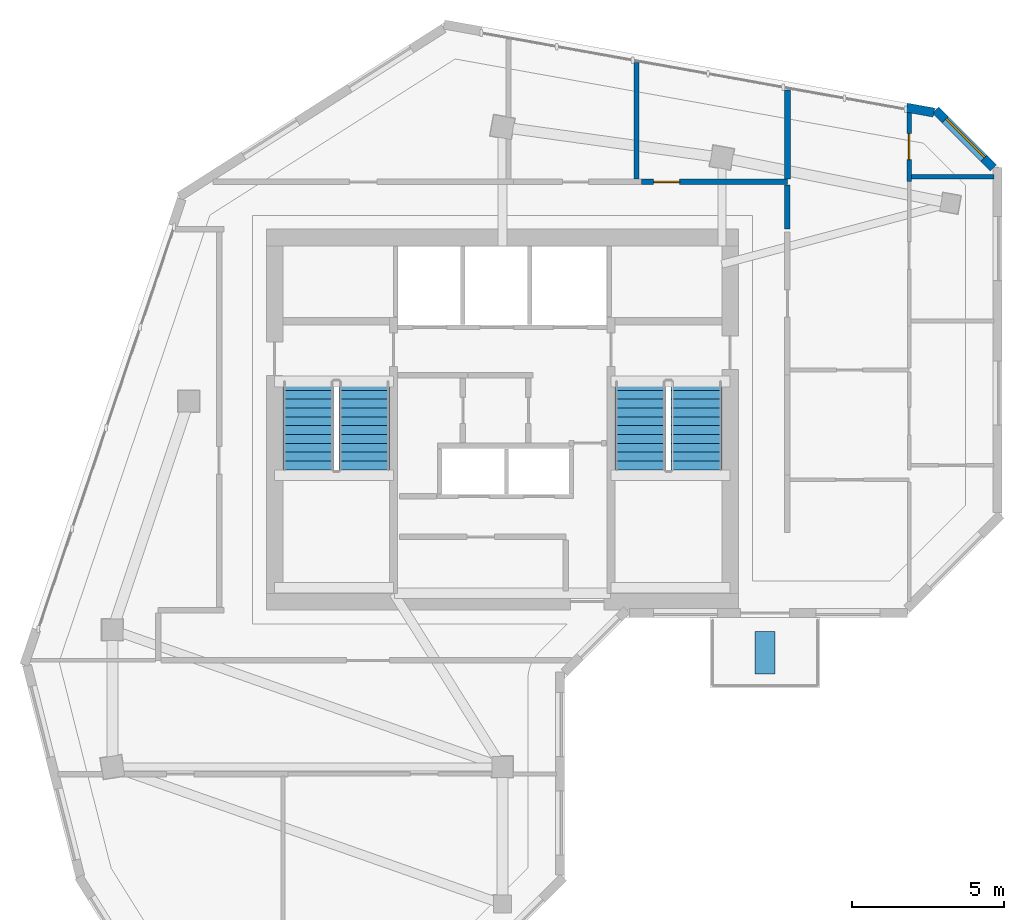
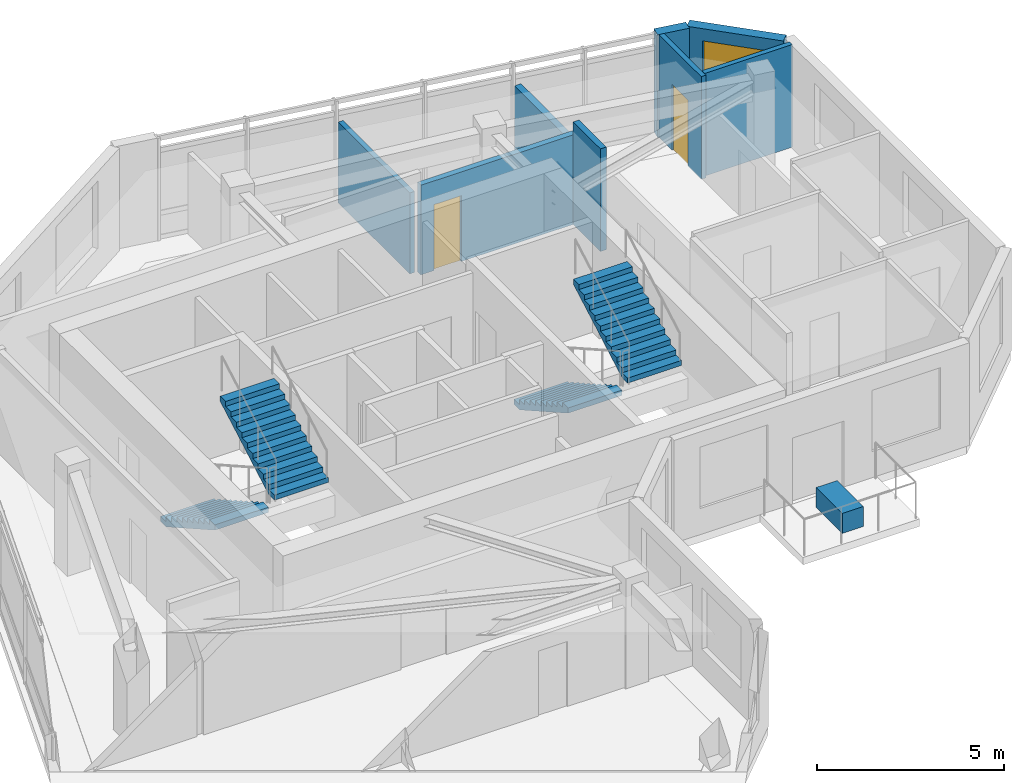
# One storey, part 5 of 7: 8 walls, 4 stair flights, 2 doors, 1 discrete accessory, 1 window, 3 openings, 2 elements without a shape of their own.
"""IFC4 building model written with IfcOpenShell, lengths in metres."""

import ifcopenshell
import ifcopenshell.guid

model = None  # the IFC model being written
_history = None  # IfcOwnerHistory: only IFC2X3 demands one
_inside = {}  # id of a spatial element -> (the spatial element, [elements in it])
_under = {}  # id of a project, library or spatial element -> (it, [spatial elements below it])
_declared = {}  # id of a project -> (the project, [libraries it declares])
_typed = {}  # id of a type object -> (the type object, [elements of that type])
_made_of = {}  # id of a material, layer set ... -> (it, [elements and type objects made of it])


def new_model(schema):
    """Start an empty IFC model of exactly this schema.

    Asked for "IFC4X3", IfcOpenShell would pick the latest addendum, in which some entities
    have other attributes; the version numbers below select the first issue.
    IFC2X3 requires an IfcOwnerHistory on every rooted entity: one is made here for all.
    """
    global model, _history
    if schema == "IFC4X3":
        model = ifcopenshell.file(schema_version=(4, 3, 0, 0))
    else:
        model = ifcopenshell.file(schema=schema)
    _inside.clear()
    _under.clear()
    _declared.clear()
    _typed.clear()
    _made_of.clear()
    _history = None
    if model.schema == "IFC2X3":
        org = make("IfcOrganization", Name="unknown")
        user = make(
            "IfcPersonAndOrganization",
            ThePerson=make("IfcPerson", FamilyName="unknown"),
            TheOrganization=org,
        )
        app = make(
            "IfcApplication",
            ApplicationDeveloper=org,
            Version="unknown",
            ApplicationFullName="unknown",
            ApplicationIdentifier="unknown",
        )
        _history = make(
            "IfcOwnerHistory",
            OwningUser=user,
            OwningApplication=app,
            ChangeAction="ADDED",
            CreationDate=0,
        )
    return model


def make(cls, **values):
    """One entity of the class cls with the attributes given. An attribute that is None is left unset."""
    return model.create_entity(
        cls, **{name: value for name, value in values.items() if value is not None}
    )


def rooted(cls, **values):
    """An entity with a GlobalId (a new one), such as an element, a storey or a relation."""
    return make(cls, GlobalId=ifcopenshell.guid.new(), OwnerHistory=_history, **values)


def si_unit(unit_type, name, prefix=None):
    """IfcSIUnit, for example si_unit("LENGTHUNIT", "METRE", prefix="MILLI")."""
    return make("IfcSIUnit", UnitType=unit_type, Prefix=prefix, Name=name)


def assignment(units):
    """IfcUnitAssignment: the units of a project."""
    return None if units is None else make("IfcUnitAssignment", Units=units)


def point(xyz):
    """IfcCartesianPoint."""
    return None if xyz is None else make("IfcCartesianPoint", Coordinates=xyz)


def direction(xyz):
    """IfcDirection."""
    return None if xyz is None else make("IfcDirection", DirectionRatios=xyz)


def frame(location, z_axis=None, x_axis=None):
    """IfcAxis2Placement3D, a coordinate frame: its origin and axes. An axis left out is left unset."""
    return make(
        "IfcAxis2Placement3D",
        Location=point(location),
        Axis=direction(z_axis),
        RefDirection=direction(x_axis),
    )


def frame_2d(location, x_axis=None):
    """IfcAxis2Placement2D, a coordinate frame in the plane: its origin and x axis."""
    return make(
        "IfcAxis2Placement2D", Location=point(location), RefDirection=direction(x_axis)
    )


def origin():
    """The frame at (0, 0, 0) with its axes left unset."""
    return frame((0.0, 0.0, 0.0))


def origin_2d():
    """The frame at (0, 0) in the plane with its x axis left unset."""
    return frame_2d((0.0, 0.0))


def place(relative_to, where):
    """IfcLocalPlacement: puts the frame where relative to a parent placement (None: the world)."""
    return make(
        "IfcLocalPlacement", PlacementRelTo=relative_to, RelativePlacement=where
    )


def context(
    kind, dimensions, precision=None, world=None, true_north=None, identifier=None
):
    """IfcGeometricRepresentationContext, for example the 3D "Model" context."""
    return make(
        "IfcGeometricRepresentationContext",
        ContextIdentifier=identifier,
        ContextType=kind,
        CoordinateSpaceDimension=dimensions,
        Precision=precision,
        WorldCoordinateSystem=world,
        TrueNorth=true_north,
    )


def subcontext(parent, identifier, kind, view, scale=None):
    """IfcGeometricRepresentationSubContext, for example "Body" below "Model"."""
    return make(
        "IfcGeometricRepresentationSubContext",
        ContextIdentifier=identifier,
        ContextType=kind,
        ParentContext=parent,
        TargetScale=scale,
        TargetView=view,
    )


def project(units=None, contexts=None):
    """IfcProject with its units and contexts."""
    return rooted(
        "IfcProject",
        Name="project",
        RepresentationContexts=contexts,
        UnitsInContext=assignment(units),
    )


def spatial(cls, under=None, at=None, **own):
    """A site, building, storey or space (cls), placed at a placement, below another one or the project."""
    s = rooted(cls, ObjectPlacement=at, **own)
    if under is not None:
        _under.setdefault(under.id(), (under, []))[1].append(s)
    return s


def polyline(points):
    """IfcPolyline through the points."""
    return make("IfcPolyline", Points=[point(p) for p in points])


def profile(cls, at=None, kind="AREA", **sizes):
    """A parametric profile (cls). Its sizes go by their IFC names, for example OverallWidth=200.0."""
    return make(cls, ProfileType=kind, Position=at, **sizes)


def rectangle(**sizes):
    """IfcRectangleProfileDef."""
    return profile("IfcRectangleProfileDef", **sizes)


def outline(outer, holes=None, kind="AREA"):
    """IfcArbitraryClosedProfileDef: a profile drawn as a closed curve; with holes, ...WithVoids."""
    if holes is None:
        return make("IfcArbitraryClosedProfileDef", ProfileType=kind, OuterCurve=outer)
    return make(
        "IfcArbitraryProfileDefWithVoids",
        ProfileType=kind,
        OuterCurve=outer,
        InnerCurves=holes,
    )


def extrude(swept, where, along, depth):
    """IfcExtrudedAreaSolid: the profile swept, set in the frame where, extruded along a direction by depth."""
    return make(
        "IfcExtrudedAreaSolid",
        SweptArea=swept,
        Position=where,
        ExtrudedDirection=direction(along),
        Depth=depth,
    )


def shape(context_of_items, identifier, shape_type, items):
    """IfcShapeRepresentation: the items that make up one representation, for example the "Body"."""
    return make(
        "IfcShapeRepresentation",
        ContextOfItems=context_of_items,
        RepresentationIdentifier=identifier,
        RepresentationType=shape_type,
        Items=items,
    )


def source(mapping_origin, context_of_items, identifier, shape_type, items):
    """IfcRepresentationMap: a shape defined once, which mapped items show again and again."""
    return make(
        "IfcRepresentationMap",
        MappingOrigin=mapping_origin,
        MappedRepresentation=shape(context_of_items, identifier, shape_type, items),
    )


def transform(
    local_origin,
    x_axis=None,
    y_axis=None,
    z_axis=None,
    scale=None,
    scale2=None,
    scale3=None,
    uniform=True,
):
    """IfcCartesianTransformationOperator3D, or its non-uniform kind. x_axis, y_axis, z_axis: its Axis1, 2, 3."""
    if uniform:
        return make(
            "IfcCartesianTransformationOperator3D",
            Axis1=direction(x_axis),
            Axis2=direction(y_axis),
            LocalOrigin=point(local_origin),
            Scale=scale,
            Axis3=direction(z_axis),
        )
    return make(
        "IfcCartesianTransformationOperator3DnonUniform",
        Axis1=direction(x_axis),
        Axis2=direction(y_axis),
        LocalOrigin=point(local_origin),
        Scale=scale,
        Axis3=direction(z_axis),
        Scale2=scale2,
        Scale3=scale3,
    )


def mapped(mapping_source, mapping_target):
    """IfcMappedItem: shows the shape of a source again, moved by a transform."""
    return make(
        "IfcMappedItem", MappingSource=mapping_source, MappingTarget=mapping_target
    )


def material(Name=None, Category=None):
    """IfcMaterial."""
    return make("IfcMaterial", Name=Name, Category=Category)


def layer(
    of_material, thickness, ventilated=None, Name=None, Category=None, Priority=None
):
    """IfcMaterialLayer: one layer of a wall or slab, of a material (None: an air gap)."""
    return make(
        "IfcMaterialLayer",
        Material=of_material,
        LayerThickness=thickness,
        IsVentilated=ventilated,
        Name=Name,
        Category=Category,
        Priority=Priority,
    )


def layer_set(layers, Name=None):
    """IfcMaterialLayerSet."""
    return make("IfcMaterialLayerSet", MaterialLayers=layers, LayerSetName=Name)


def made_of(thing, what):
    """Note that an element or type object is made of a material, layer set ...; save() writes the relation."""
    if what is not None:
        _made_of.setdefault(what.id(), (what, []))[1].append(thing)
    return thing


def type_object(cls, material=None, **own):
    """A type object (cls), such as IfcWallType, which elements share."""
    return made_of(rooted(cls, **own), material)


def element(
    cls,
    number,
    at=None,
    inside=None,
    cuts=None,
    type_object=None,
    material=None,
    context=None,
    identifier="Body",
    shape_type=None,
    held_by="IfcProductDefinitionShape",
    body=None,
    shapes=None,
    **own,
):
    """One element of the class cls, such as IfcWall. Its Tag is "e" and its number.

    at: its placement. inside: the storey or other place that contains it. cuts: it is an
    opening in that element (IfcRelVoidsElement). A single representation is given by context,
    identifier, shape_type and body (its items); several are given by shapes. held_by: the class
    of the entity that holds the representations. save() writes the other relations.
    """
    e = rooted(cls, Tag="e%d" % number, ObjectPlacement=at, **own)
    if body is not None:
        shapes = [shape(context, identifier, shape_type, body)]
    if shapes is not None:
        e.Representation = make(held_by, Representations=shapes)
    if inside is not None:
        _inside.setdefault(inside.id(), (inside, []))[1].append(e)
    if cuts is not None:
        rooted(
            "IfcRelVoidsElement", RelatingBuildingElement=cuts, RelatedOpeningElement=e
        )
    if type_object is not None:
        _typed.setdefault(type_object.id(), (type_object, []))[1].append(e)
    return made_of(e, material)


def fill(opening, filler):
    """IfcRelFillsElement: the door or window that sits in an opening."""
    return rooted(
        "IfcRelFillsElement",
        RelatingOpeningElement=opening,
        RelatedBuildingElement=filler,
    )


def aggregate(whole, parts):
    """IfcRelAggregates: a whole, such as a stair, and the parts it consists of."""
    return rooted("IfcRelAggregates", RelatingObject=whole, RelatedObjects=parts)


def save(model, path):
    """Write the relations noted so far, then the file.

    IfcRelAggregates (storeys below a building ...), IfcRelContainedInSpatialStructure (elements
    in a storey), IfcRelDefinesByType, IfcRelAssociatesMaterial and IfcRelDeclares: one each for
    every whole, place, type object, material and project.
    """
    for whole, parts in _under.values():
        aggregate(whole, parts)
    for where, things in _inside.values():
        rooted(
            "IfcRelContainedInSpatialStructure",
            RelatedElements=things,
            RelatingStructure=where,
        )
    for kind, things in _typed.values():
        rooted("IfcRelDefinesByType", RelatedObjects=things, RelatingType=kind)
    for what, things in _made_of.values():
        rooted("IfcRelAssociatesMaterial", RelatedObjects=things, RelatingMaterial=what)
    for by, libraries in _declared.values():
        rooted("IfcRelDeclares", RelatingContext=by, RelatedDefinitions=libraries)
    model.write(path)


model = new_model("IFC4")

# Units and contexts
model_context = context("Model", 3, precision=1e-05, world=origin(), true_north=direction((0.0, 1.0)))
body_context = subcontext(model_context, "Body", "Model", "MODEL_VIEW")
ifc_project = project(units=[si_unit("LENGTHUNIT", "METRE"), si_unit("AREAUNIT", "SQUARE_METRE"), si_unit("VOLUMEUNIT", "CUBIC_METRE"), si_unit("PLANEANGLEUNIT", "RADIAN"), si_unit("MASSUNIT", "GRAM", prefix="KILO")], contexts=[model_context])

# Site, building, storey
site_placement = place(None, origin())
site = spatial("IfcSite", under=ifc_project, at=site_placement, CompositionType="ELEMENT")
building_placement = place(site_placement, origin())
building = spatial("IfcBuilding", under=site, at=building_placement, Name="Calvemar Wedge Station Tower", CompositionType="ELEMENT")
storey_placement = place(building_placement, frame((0.0, 0.0, 278.10009765625)))
storey = spatial("IfcBuildingStorey", under=building, at=storey_placement, Name="L71", CompositionType="ELEMENT", Elevation=278.10009765625)

# Wall, opening, door
ifc_material_1 = material(Name="Double-stud fire-rated corridor partition")
ifc_layer_1 = layer(ifc_material_1, 0.179931640625)
ifc_layer_set_1 = layer_set([ifc_layer_1], Name="Double-stud fire-rated corridor partition")
wall_type_1 = type_object("IfcWallType", Name="W-CORR-180", PredefinedType="PARTITIONING", material=ifc_layer_set_1)
wall_1_placement = place(storey_placement, frame((28.362060546875, 47.699951171875, 0.0), z_axis=(0.0, 0.0, 1.0), x_axis=(1.0, 0.0, 0.0)))
wall_1 = element("IfcWall", 1, at=wall_1_placement, inside=storey, type_object=wall_type_1, Name="Storey L71 Interior Partition WL-L71-016", PredefinedType="PARTITIONING", context=body_context, shape_type="SweptSolid", body=[
    extrude(rectangle(XDim=4.787841796875, YDim=0.179931640625, at=frame_2d((2.39404296875, 0.0))), origin(), (0.0, 0.0, 1.0), 2.921875),
])
shared_shape_1 = source(origin(), body_context, "Body", "SweptSolid", [
    extrude(rectangle(XDim=0.85009765625, YDim=2.14990234375, at=frame_2d((0.425048828125, 1.074951171875))), frame((0.0, 0.10009765625, 0.0), z_axis=(0.0, -1.0, 0.0), x_axis=(1.0, 0.0, 0.0)), (0.0, 0.0, 1.0), 0.199951171875),
])
opening_1_placement = place(wall_1_placement, frame((0.400634765625, 0.0, 0.0)))
opening_1 = element("IfcOpeningElement", 2, at=opening_1_placement, cuts=wall_1, Name="Opening D-02", PredefinedType="OPENING", context=body_context, shape_type="MappedRepresentation", body=[
    mapped(shared_shape_1, transform((0.0, 0.0, 0.0), scale=1.0)),
])
ifc_material_2 = material(Name="Moisture-sealed bathroom hardwood swing door", Category="wood")
door_type = type_object("IfcDoorType", Name="DR-WET-850", OperationType="NOTDEFINED", PredefinedType="DOOR", material=ifc_material_2)
shared_shape_2 = source(origin(), body_context, "Body", "SweptSolid", [
    extrude(rectangle(XDim=0.85009765625, YDim=2.14990234375, at=frame_2d((0.425048828125, 1.074951171875))), frame((0.0, 0.02490234375, 0.0), z_axis=(0.0, -1.0, 0.0), x_axis=(1.0, 0.0, 0.0)), (0.0, 0.0, 1.0), 0.050048828125),
])
door_1_placement = place(opening_1_placement, origin())
door_1 = element("IfcDoor", 3, at=door_1_placement, inside=storey, type_object=door_type, Name="L71 Storage Room Door", OperationType="SINGLE_SWING_LEFT", OverallHeight=2.14990234375, OverallWidth=0.85009765625, PredefinedType="DOOR", context=body_context, shape_type="MappedRepresentation", body=[
    mapped(shared_shape_2, transform((0.0, 0.0, 0.0), scale=1.0)),
])
fill(opening_1, door_1)

# Walls
wall_2_placement = place(storey_placement, frame((33.14990234375, 47.60595703125, 0.0), z_axis=(0.0, 0.0, 1.0), x_axis=(0.0, -1.0, 0.0)))
element("IfcWall", 4, at=wall_2_placement, inside=storey, type_object=wall_type_1, Name="Storey L71 Interior Partition WL-L71-017", PredefinedType="PARTITIONING", context=body_context, shape_type="SweptSolid", body=[
    extrude(rectangle(XDim=1.4560546875, YDim=0.179931640625, at=frame_2d((0.72802734375, 0.0))), origin(), (0.0, 0.0, 1.0), 3.349853515625),
])
ifc_material_3 = material(Name="Twin-stud fire-rated inter-tenancy wall")
ifc_layer_2 = layer(ifc_material_3, 0.199951171875)
ifc_layer_set_2 = layer_set([ifc_layer_2], Name="Twin-stud fire-rated inter-tenancy wall")
wall_type_2 = type_object("IfcWallType", Name="W-DEMISE-200", PredefinedType="PARTITIONING", material=ifc_layer_set_2)
wall_3_placement = place(storey_placement, frame((33.14990234375, 50.7265625, 0.0), z_axis=(0.0, 0.0, 1.0), x_axis=(0.0, -1.0, 0.0)))
element("IfcWall", 5, at=wall_3_placement, inside=storey, type_object=wall_type_2, Name="Storey L71 Interior Partition WL-L71-024", PredefinedType="PARTITIONING", context=body_context, shape_type="SweptSolid", body=[
    extrude(rectangle(XDim=2.9326171875, YDim=0.199951171875, at=frame_2d((1.46630859375, 0.0))), origin(), (0.0, 0.0, 1.0), 2.641845703125),
])

# Wall, opening, window
ifc_material_4 = material(Name="Precast concrete C45", Category="concrete")
ifc_layer_3 = layer(ifc_material_4, 0.300048828125)
ifc_layer_set_3 = layer_set([ifc_layer_3], Name="Precast concrete C45")
wall_type_3 = type_object("IfcWallType", Name="W-EXT-GFRC-300", PredefinedType="SOLIDWALL", material=ifc_layer_set_3)
wall_4_placement = place(storey_placement, frame((39.912109375, 48.163818359375, 0.0), z_axis=(0.0, 0.0, 1.0), x_axis=(-0.70715242601, 0.707061133417, 0.0)))
wall_4 = element("IfcWall", 6, at=wall_4_placement, inside=storey, type_object=wall_type_3, Name="Storey L71 Bronze GFRC Exterior Wall 9", PredefinedType="SOLIDWALL", context=body_context, shape_type="SweptSolid", body=[
    extrude(rectangle(XDim=2.67431640625, YDim=0.300048828125, at=frame_2d((1.337158203125, 0.0))), origin(), (0.0, 0.0, 1.0), 3.349853515625),
])
shared_shape_3 = source(origin(), body_context, "Body", "SweptSolid", [
    extrude(rectangle(XDim=1.800048828125, YDim=2.10009765625, at=frame_2d((0.89990234375, 1.050048828125))), frame((0.0, 0.16015625, 0.0), z_axis=(0.0, -1.0, 0.0), x_axis=(1.0, 0.0, 0.0)), (0.0, 0.0, 1.0), 0.320068359375),
])
opening_2_placement = place(wall_4_placement, frame((0.43701171875, 0.0, 0.85009765625)))
opening_2 = element("IfcOpeningElement", 7, at=opening_2_placement, cuts=wall_4, Name="Opening W2", PredefinedType="OPENING", context=body_context, shape_type="MappedRepresentation", body=[
    mapped(shared_shape_3, transform((0.0, 0.0, 0.0), scale=1.0)),
])
ifc_material_5 = material(Name="Low-E laminated insulated glass", Category="glass")
window_type = type_object("IfcWindowType", Name="WIN-EXT-2", PartitioningType="SINGLE_PANEL", PredefinedType="WINDOW", material=ifc_material_5)
shared_shape_4 = source(origin(), body_context, "Body", "SweptSolid", [
    extrude(rectangle(XDim=1.800048828125, YDim=2.10009765625, at=frame_2d((0.89990234375, 1.050048828125))), frame((0.0, -0.014892578125, 0.0), z_axis=(0.0, -1.0, 0.0), x_axis=(1.0, 0.0, 0.0)), (0.0, 0.0, 1.0), 0.06005859375),
])
window_placement = place(opening_2_placement, origin())
window = element("IfcWindow", 8, at=window_placement, inside=storey, type_object=window_type, Name="Storey L71 Recessed Window 9.1", OverallHeight=2.10009765625, OverallWidth=1.800048828125, PartitioningType="SINGLE_PANEL", PredefinedType="WINDOW", context=body_context, shape_type="MappedRepresentation", body=[
    mapped(shared_shape_4, transform((0.0, 0.0, 0.0), scale=1.0)),
])
fill(opening_2, window)

# Walls
wall_5_placement = place(storey_placement, frame((37.961669921875, 49.978515625, 0.0), z_axis=(0.0, 0.0, 1.0), x_axis=(-0.984233975798, 0.176871368189, 0.0)))
element("IfcWall", 9, at=wall_5_placement, inside=storey, type_object=wall_type_3, Name="Storey L71 Bronze GFRC Corner Pier 10A", PredefinedType="SOLIDWALL", context=body_context, shape_type="SweptSolid", body=[
    extrude(rectangle(XDim=0.906982421875, YDim=0.300048828125, at=frame_2d((0.45361328125, 0.0))), origin(), (0.0, 0.0, 1.0), 3.349853515625),
])
ifc_material_6 = material(Name="Moisture-resistant acoustic bathroom partition")
ifc_layer_4 = layer(ifc_material_6, 0.14990234375)
ifc_layer_set_4 = layer_set([ifc_layer_4], Name="Moisture-resistant acoustic bathroom partition")
wall_type_4 = type_object("IfcWallType", Name="W-WET-150", PredefinedType="PARTITIONING", material=ifc_layer_set_4)
wall_6_placement = place(storey_placement, frame((28.199951171875, 51.6162109375, 0.0), z_axis=(0.0, 0.0, 1.0), x_axis=(0.0, -1.0, 0.0)))
element("IfcWall", 10, at=wall_6_placement, inside=storey, type_object=wall_type_4, Name="Storey L71 Interior Partition WL-L71-023", PredefinedType="PARTITIONING", context=body_context, shape_type="SweptSolid", body=[
    extrude(rectangle(XDim=3.822265625, YDim=0.14990234375, at=frame_2d((1.9111328125, 0.0))), origin(), (0.0, 0.0, 1.0), 2.641845703125),
])

# Wall, opening, door
wall_7_placement = place(storey_placement, frame((37.14990234375, 50.007568359375, 0.0), z_axis=(0.0, 0.0, 1.0), x_axis=(0.0, -1.0, 0.0)))
wall_7 = element("IfcWall", 11, at=wall_7_placement, inside=storey, type_object=wall_type_4, Name="Storey L71 Interior Partition WL-L71-028", PredefinedType="PARTITIONING", context=body_context, shape_type="SweptSolid", body=[
    extrude(rectangle(XDim=2.29052734375, YDim=0.14990234375, at=frame_2d((1.145263671875, 0.0))), origin(), (0.0, 0.0, 1.0), 3.349853515625),
])
shared_shape_5 = source(origin(), body_context, "Body", "SweptSolid", [
    extrude(rectangle(XDim=0.85009765625, YDim=2.14990234375, at=frame_2d((0.425048828125, 1.074951171875))), frame((0.0, 0.0849609375, 0.0), z_axis=(0.0, -1.0, 0.0), x_axis=(1.0, 0.0, 0.0)), (0.0, 0.0, 1.0), 0.169921875),
])
opening_3_placement = place(wall_7_placement, frame((0.72021484375, 0.0, 0.0)))
opening_3 = element("IfcOpeningElement", 12, at=opening_3_placement, cuts=wall_7, Name="Opening D-02", PredefinedType="OPENING", context=body_context, shape_type="MappedRepresentation", body=[
    mapped(shared_shape_5, transform((0.0, 0.0, 0.0), scale=1.0)),
])
door_2_placement = place(opening_3_placement, origin())
door_2 = element("IfcDoor", 13, at=door_2_placement, inside=storey, type_object=door_type, Name="L71 Bathroom Door", OperationType="SINGLE_SWING_LEFT", OverallHeight=2.14990234375, OverallWidth=0.85009765625, PredefinedType="DOOR", context=body_context, shape_type="MappedRepresentation", body=[
    mapped(shared_shape_2, transform((0.0, 0.0, 0.0), scale=1.0)),
])
fill(opening_3, door_2)

# Wall
wall_8_placement = place(storey_placement, frame((39.93505859375, 47.876953125, 0.0), z_axis=(0.0, 0.0, 1.0), x_axis=(-1.0, 0.0, 0.0)))
element("IfcWall", 14, at=wall_8_placement, inside=storey, type_object=wall_type_4, Name="Storey L71 Interior Partition WL-L71-032", PredefinedType="PARTITIONING", context=body_context, shape_type="SweptSolid", body=[
    extrude(rectangle(XDim=2.7060546875, YDim=0.14990234375, at=frame_2d((1.35302734375, 0.0))), origin(), (0.0, 0.0, 1.0), 3.349853515625),
])

# Stair, stair flights
ifc_material_7 = material(Name="Concrete C45", Category="concrete")
stair_type = type_object("IfcStairType", Name="ST-TYPE-3600", PredefinedType="HALF_TURN_STAIR", material=ifc_material_7)
stair_1_placement = place(storey_placement, origin())
stair_1 = element("IfcStair", 15, at=stair_1_placement, inside=storey, type_object=stair_type, Name="L71 Pressurized Core Exit Stair ST-C1", PredefinedType="HALF_TURN_STAIR")
stair_flight_type = type_object("IfcStairFlightType", Name="STF-TYPE-3600", PredefinedType="STRAIGHT", material=ifc_material_7)
stair_flight_1_placement = place(storey_placement, frame((17.429931640625, 41.14990234375, 0.0), z_axis=(0.0, 0.0, 1.0), x_axis=(0.0, -1.0, 0.0)))
stair_flight_1 = element("IfcStairFlight", 16, at=stair_flight_1_placement, type_object=stair_flight_type, Name="ST-C1 flight 1", NumberOfRisers=11, NumberOfTreads=10, PredefinedType="STRAIGHT", RiserHeight=0.163636364, TreadLength=0.29, context=body_context, shape_type="SweptSolid", body=[
    extrude(outline(polyline([(0.0, 0.0), (0.0, 0.16357421875), (0.2900390625, 0.16357421875), (0.2900390625, 0.327392578125), (0.580078125, 0.327392578125), (0.580078125, 0.490966796875), (0.8701171875, 0.490966796875), (0.8701171875, 0.654541015625), (1.159912109375, 0.654541015625), (1.159912109375, 0.818115234375), (1.449951171875, 0.818115234375), (1.449951171875, 0.98193359375), (1.739990234375, 0.98193359375), (1.739990234375, 1.1455078125), (2.030029296875, 1.1455078125), (2.030029296875, 1.30908203125), (2.320068359375, 1.30908203125), (2.320068359375, 1.47265625), (2.610107421875, 1.47265625), (2.610107421875, 1.636474609375), (2.89990234375, 1.636474609375), (2.89990234375, 1.800048828125), (2.89990234375, 1.46435546875), (0.304931640625, 0.0), (0.0, 0.0)])), frame((0.0, 0.830078125, 0.0), z_axis=(0.0, -1.0, 0.0), x_axis=(1.0, 0.0, 0.0)), (0.0, 0.0, 1.0), 1.659912109375),
])
stair_flight_2_placement = place(storey_placement, frame((19.27001953125, 38.25, 1.7998046875), z_axis=(0.0, 0.0, 1.0), x_axis=(0.0, 1.0, 0.0)))
stair_flight_2 = element("IfcStairFlight", 17, at=stair_flight_2_placement, type_object=stair_flight_type, Name="ST-C1 flight 2", NumberOfRisers=11, NumberOfTreads=10, PredefinedType="STRAIGHT", RiserHeight=0.163636364, TreadLength=0.29, context=body_context, shape_type="SweptSolid", body=[
    extrude(outline(polyline([(0.0, 0.0), (0.0, 0.16357421875), (0.2900390625, 0.16357421875), (0.2900390625, 0.327392578125), (0.580078125, 0.327392578125), (0.580078125, 0.490966796875), (0.8701171875, 0.490966796875), (0.8701171875, 0.654541015625), (1.159912109375, 0.654541015625), (1.159912109375, 0.818115234375), (1.449951171875, 0.818115234375), (1.449951171875, 0.98193359375), (1.739990234375, 0.98193359375), (1.739990234375, 1.1455078125), (2.030029296875, 1.1455078125), (2.030029296875, 1.30908203125), (2.320068359375, 1.30908203125), (2.320068359375, 1.47265625), (2.610107421875, 1.47265625), (2.610107421875, 1.636474609375), (2.89990234375, 1.636474609375), (2.89990234375, 1.800048828125), (2.89990234375, 1.46435546875), (0.304931640625, 0.0), (0.0, 0.0)])), frame((0.0, 0.830078125, 0.0), z_axis=(0.0, -1.0, 0.0), x_axis=(1.0, 0.0, 0.0)), (0.0, 0.0, 1.0), 1.659912109375),
])
aggregate(stair_1, [stair_flight_1, stair_flight_2])

stair_2_placement = place(storey_placement, origin())
stair_2 = element("IfcStair", 18, at=stair_2_placement, inside=storey, type_object=stair_type, Name="L71 Pressurized Core Exit Stair ST-C2", PredefinedType="HALF_TURN_STAIR")
stair_flight_3_placement = place(storey_placement, frame((28.330078125, 41.14990234375, 0.0), z_axis=(0.0, 0.0, 1.0), x_axis=(0.0, -1.0, 0.0)))
stair_flight_3 = element("IfcStairFlight", 19, at=stair_flight_3_placement, type_object=stair_flight_type, Name="ST-C2 flight 1", NumberOfRisers=11, NumberOfTreads=10, PredefinedType="STRAIGHT", RiserHeight=0.163636364, TreadLength=0.29, context=body_context, shape_type="SweptSolid", body=[
    extrude(outline(polyline([(0.0, 0.0), (0.0, 0.16357421875), (0.2900390625, 0.16357421875), (0.2900390625, 0.327392578125), (0.580078125, 0.327392578125), (0.580078125, 0.490966796875), (0.8701171875, 0.490966796875), (0.8701171875, 0.654541015625), (1.159912109375, 0.654541015625), (1.159912109375, 0.818115234375), (1.449951171875, 0.818115234375), (1.449951171875, 0.98193359375), (1.739990234375, 0.98193359375), (1.739990234375, 1.1455078125), (2.030029296875, 1.1455078125), (2.030029296875, 1.30908203125), (2.320068359375, 1.30908203125), (2.320068359375, 1.47265625), (2.610107421875, 1.47265625), (2.610107421875, 1.636474609375), (2.89990234375, 1.636474609375), (2.89990234375, 1.800048828125), (2.89990234375, 1.46435546875), (0.304931640625, 0.0), (0.0, 0.0)])), frame((0.0, 0.830078125, 0.0), z_axis=(0.0, -1.0, 0.0), x_axis=(1.0, 0.0, 0.0)), (0.0, 0.0, 1.0), 1.659912109375),
])
stair_flight_4_placement = place(storey_placement, frame((30.169921875, 38.25, 1.7998046875), z_axis=(0.0, 0.0, 1.0), x_axis=(0.0, 1.0, 0.0)))
stair_flight_4 = element("IfcStairFlight", 20, at=stair_flight_4_placement, type_object=stair_flight_type, Name="ST-C2 flight 2", NumberOfRisers=11, NumberOfTreads=10, PredefinedType="STRAIGHT", RiserHeight=0.163636364, TreadLength=0.29, context=body_context, shape_type="SweptSolid", body=[
    extrude(outline(polyline([(0.0, 0.0), (0.0, 0.16357421875), (0.2900390625, 0.16357421875), (0.2900390625, 0.327392578125), (0.580078125, 0.327392578125), (0.580078125, 0.490966796875), (0.8701171875, 0.490966796875), (0.8701171875, 0.654541015625), (1.159912109375, 0.654541015625), (1.159912109375, 0.818115234375), (1.449951171875, 0.818115234375), (1.449951171875, 0.98193359375), (1.739990234375, 0.98193359375), (1.739990234375, 1.1455078125), (2.030029296875, 1.1455078125), (2.030029296875, 1.30908203125), (2.320068359375, 1.30908203125), (2.320068359375, 1.47265625), (2.610107421875, 1.47265625), (2.610107421875, 1.636474609375), (2.89990234375, 1.636474609375), (2.89990234375, 1.800048828125), (2.89990234375, 1.46435546875), (0.304931640625, 0.0), (0.0, 0.0)])), frame((0.0, 0.830078125, 0.0), z_axis=(0.0, -1.0, 0.0), x_axis=(1.0, 0.0, 0.0)), (0.0, 0.0, 1.0), 1.659912109375),
])
aggregate(stair_2, [stair_flight_3, stair_flight_4])

# Discrete accessory
discrete_accessory_type = type_object("IfcDiscreteAccessoryType", Name="ACC-PLANTER", PredefinedType="USERDEFINED", material=ifc_material_4)
shared_shape_6 = source(origin(), body_context, "Body", "SweptSolid", [
    extrude(rectangle(XDim=0.64990234375, YDim=1.39990234375, at=origin_2d()), origin(), (0.0, 0.0, 1.0), 0.64990234375),
])
discrete_accessory_placement = place(storey_placement, frame((32.419921875, 32.25, 0.0), z_axis=(0.0, 0.0, 1.0), x_axis=(1.0, 0.0, 0.0)))
element("IfcDiscreteAccessory", 21, at=discrete_accessory_placement, inside=storey, type_object=discrete_accessory_type, Name="Storey L71 Planted Terrace GFRC Planter", ObjectType="PLANTER", PredefinedType="USERDEFINED", context=body_context, shape_type="MappedRepresentation", body=[
    mapped(shared_shape_6, transform((0.0, 0.0, 0.0), scale=1.0)),
])

save(model, "model.ifc")
